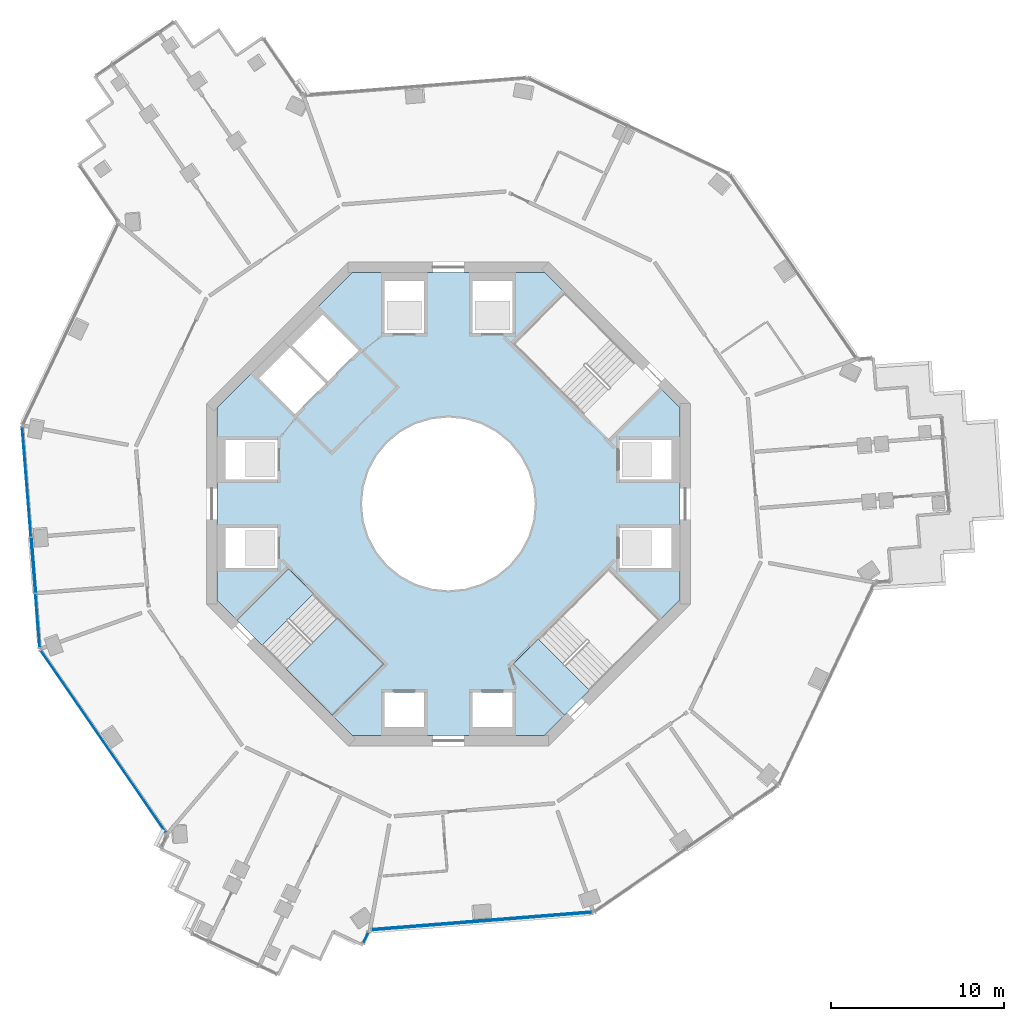
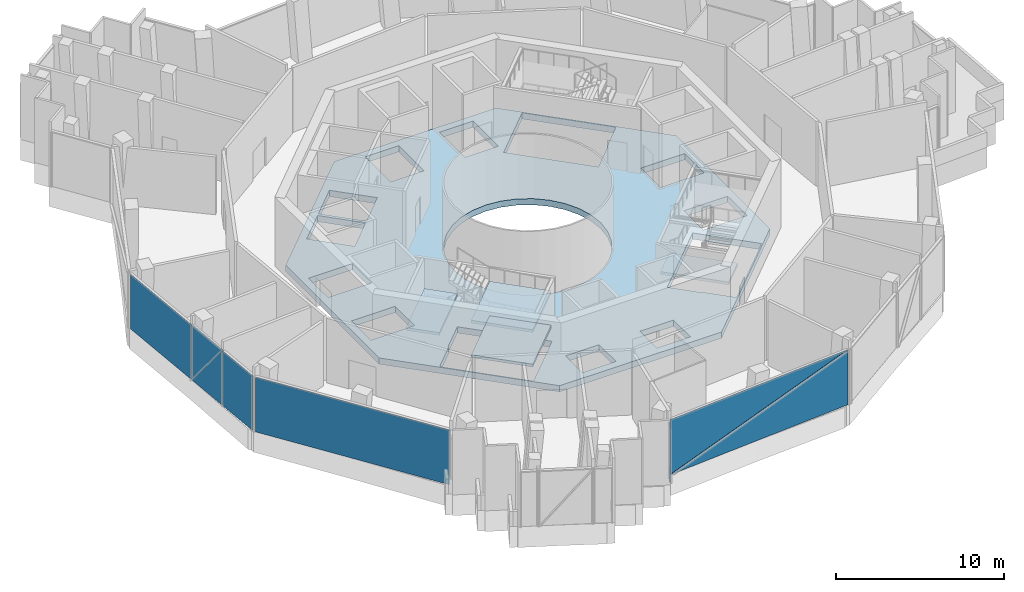
# One storey, part 7 of 21: 8 plates, 5 slabs, 6 elements without a shape of their own.
"""IFC4 building model written with IfcOpenShell, lengths in metres."""

from ifc_helpers import new_model, si_unit, direction, frame, origin, origin_2d, place, context, subcontext, project, spatial, polyline, rectangle, outline, extrude, material, layer, layer_set, type_object, element, aggregate, save


model = new_model("IFC4")

# Units and contexts
model_context = context("Model", 3, precision=1e-05, world=origin(), true_north=direction((0.0, 1.0)))
body_context = subcontext(model_context, "Body", "Model", "MODEL_VIEW")
ifc_project = project(units=[si_unit("LENGTHUNIT", "METRE"), si_unit("AREAUNIT", "SQUARE_METRE"), si_unit("VOLUMEUNIT", "CUBIC_METRE"), si_unit("PLANEANGLEUNIT", "RADIAN"), si_unit("MASSUNIT", "GRAM", prefix="KILO")], contexts=[model_context])

# Site, building, storey
site_placement = place(None, origin())
site = spatial("IfcSite", under=ifc_project, at=site_placement, CompositionType="ELEMENT")
building_placement = place(site_placement, origin())
building = spatial("IfcBuilding", under=site, at=building_placement, Name="Verdalira Terraces Hotel", CompositionType="ELEMENT")
storey_placement = place(building_placement, frame((0.0, 0.0, 175.0)))
storey = spatial("IfcBuildingStorey", under=building, at=storey_placement, Name="L42", CompositionType="ELEMENT", Elevation=175.0)

# Curtain wall, plates
ifc_material_1 = material(Name="Clear glass", Category="glass")
ifc_layer_1 = layer(ifc_material_1, 0.239990234375)
ifc_layer_set_1 = layer_set([ifc_layer_1], Name="CW5 curtain wall")
curtain_wall_type = type_object("IfcCurtainWallType", Name="CW5 curtain wall", PredefinedType="NOTDEFINED", material=ifc_layer_set_1)
curtain_wall_1_placement = place(storey_placement, origin())
curtain_wall_1 = element("IfcCurtainWall", 1, at=curtain_wall_1_placement, inside=storey, type_object=curtain_wall_type, Name="CW5 curtain wall L42 edge 12", PredefinedType="NOTDEFINED")
ifc_material_2 = material(Name="Clear glass", Category="glass")
ifc_layer_2 = layer(ifc_material_2, 0.0439453125)
ifc_layer_set_2 = layer_set([ifc_layer_2], Name="CW5 glass unit 44")
plate_type = type_object("IfcPlateType", Name="CW5 glass unit 44", PredefinedType="CURTAIN_PANEL", material=ifc_layer_set_2)
plate_1_placement = place(storey_placement, frame((-24.406982, 1.276123, 0.0), z_axis=(0.0, 0.0, 1.0), x_axis=(0.079503022, -0.996834625, 0.0)))
plate_1 = element("IfcPlate", 2, at=plate_1_placement, type_object=plate_type, Name="CW5 glass unit", PredefinedType="CURTAIN_PANEL", context=body_context, shape_type="SweptSolid", body=[
    extrude(rectangle(XDim=6.354736, YDim=0.043945, at=origin_2d()), origin(), (0.0, 0.0, 1.0), 3.965088),
])
plate_2_placement = place(storey_placement, frame((-24.000488, -3.544434, 1.982422), z_axis=(-0.996834625, -0.079503022, 0.0), x_axis=(0.079503022, -0.996834625, 0.0)))
plate_2 = element("IfcPlate", 3, at=plate_2_placement, type_object=plate_type, Name="CW5 glass unit", PredefinedType="CURTAIN_PANEL", context=body_context, shape_type="SweptSolid", body=[
    extrude(outline(polyline([(-1.589844, -1.982422), (1.589844, -1.982422), (1.589844, 1.982422), (-1.589844, -1.982422)])), origin(), (0.0, 0.0, 1.0), 0.043945),
])
plate_3_placement = place(storey_placement, frame((-23.955811, -3.540771, 1.982422), z_axis=(-0.996834625, -0.079503022, 0.0), x_axis=(0.079503022, -0.996834625, 0.0)))
plate_3 = element("IfcPlate", 4, at=plate_3_placement, type_object=plate_type, Name="CW5 glass unit", PredefinedType="CURTAIN_PANEL", context=body_context, shape_type="SweptSolid", body=[
    extrude(outline(polyline([(-1.589844, -1.982422), (1.589844, 1.982422), (-1.589844, 1.982422), (-1.589844, -1.982422)])), origin(), (0.0, 0.0, 1.0), 0.043945),
])
plate_4_placement = place(storey_placement, frame((-23.76709, -6.748291, 0.0), z_axis=(0.0, 0.0, 1.0), x_axis=(0.079503022, -0.996834625, 0.0)))
plate_4 = element("IfcPlate", 5, at=plate_4_placement, type_object=plate_type, Name="CW5 glass unit", PredefinedType="CURTAIN_PANEL", context=body_context, shape_type="SweptSolid", body=[
    extrude(rectangle(XDim=3.104736, YDim=0.043945, at=origin_2d()), origin(), (0.0, 0.0, 1.0), 3.965088),
])
aggregate(curtain_wall_1, [plate_1, plate_2, plate_3, plate_4])

# Curtain wall, plate
curtain_wall_2_placement = place(storey_placement, origin())
curtain_wall_2 = element("IfcCurtainWall", 6, at=curtain_wall_2_placement, inside=storey, type_object=curtain_wall_type, Name="CW5 curtain wall L42 edge 13", PredefinedType="NOTDEFINED")
plate_5_placement = place(storey_placement, frame((-19.956055, -13.739014, 0.0), z_axis=(0.0, 0.0, 1.0), x_axis=(0.567268949, -0.823532598, 0.0)))
plate_5 = element("IfcPlate", 7, at=plate_5_placement, type_object=plate_type, Name="CW5 glass unit", PredefinedType="CURTAIN_PANEL", context=body_context, shape_type="SweptSolid", body=[
    extrude(rectangle(XDim=12.767822, YDim=0.043945, at=origin_2d()), origin(), (0.0, 0.0, 1.0), 3.965088),
])
aggregate(curtain_wall_2, [plate_5])

curtain_wall_3_placement = place(storey_placement, origin())
curtain_wall_3 = element("IfcCurtainWall", 8, at=curtain_wall_3_placement, inside=storey, type_object=curtain_wall_type, Name="CW5 curtain wall L42 edge 24", PredefinedType="NOTDEFINED")
plate_6_placement = place(storey_placement, frame((-4.771729, -25.092773, 0.0), z_axis=(0.0, 0.0, 1.0), x_axis=(0.429565676, 0.90303562, 0.0)))
plate_6 = element("IfcPlate", 9, at=plate_6_placement, type_object=plate_type, Name="CW5 glass unit", PredefinedType="CURTAIN_PANEL", context=body_context, shape_type="SweptSolid", body=[
    extrude(rectangle(XDim=0.657959, YDim=0.043945, at=origin_2d()), origin(), (0.0, 0.0, 1.0), 3.965088),
])
aggregate(curtain_wall_3, [plate_6])

# Curtain wall, plates
curtain_wall_4_placement = place(storey_placement, origin())
curtain_wall_4 = element("IfcCurtainWall", 10, at=curtain_wall_4_placement, inside=storey, type_object=curtain_wall_type, Name="CW5 curtain wall L42 edge 25", PredefinedType="NOTDEFINED")
plate_7_placement = place(storey_placement, frame((1.93042, -24.12915, 1.982422), z_axis=(0.079503022, -0.996834625, 0.0), x_axis=(0.996834625, 0.079503022, 0.0)))
plate_7 = element("IfcPlate", 11, at=plate_7_placement, type_object=plate_type, Name="CW5 glass unit", PredefinedType="CURTAIN_PANEL", context=body_context, shape_type="SweptSolid", body=[
    extrude(outline(polyline([(-6.383789, -1.982422), (6.383789, -1.982422), (6.383789, 1.982422), (-6.383789, -1.982422)])), origin(), (0.0, 0.0, 1.0), 0.043945),
])
plate_8_placement = place(storey_placement, frame((1.926758, -24.084473, 1.982422), z_axis=(0.079503022, -0.996834625, 0.0), x_axis=(0.996834625, 0.079503022, 0.0)))
plate_8 = element("IfcPlate", 12, at=plate_8_placement, type_object=plate_type, Name="CW5 glass unit", PredefinedType="CURTAIN_PANEL", context=body_context, shape_type="SweptSolid", body=[
    extrude(outline(polyline([(-6.383789, -1.982422), (6.383789, 1.982422), (-6.383789, 1.982422), (-6.383789, -1.982422)])), origin(), (0.0, 0.0, 1.0), 0.043945),
])
aggregate(curtain_wall_4, [plate_7, plate_8])

# Slab
ifc_material_3 = material(Name="Concrete C40", Category="concrete")
ifc_layer_3 = layer(ifc_material_3, 0.449951171875)
ifc_layer_set_3 = layer_set([ifc_layer_3], Name="Core floor slab 450 mm")
slab_type_1 = type_object("IfcSlabType", Name="Core floor slab 450 mm", PredefinedType="FLOOR", material=ifc_layer_set_3)
slab_1_placement = place(storey_placement, frame((0.0, 0.0, -0.449951)))
element("IfcSlab", 13, at=slab_1_placement, inside=storey, type_object=slab_type_1, Name="L42 core floor", PredefinedType="FLOOR", context=body_context, shape_type="SweptSolid", body=[
    extrude(outline(polyline([(-5.550537, 13.399902), (5.550537, 13.399902), (13.399902, 5.550537), (13.399902, -5.550537), (5.550537, -13.399902), (-5.550537, -13.399902), (-13.399902, -5.550537), (-13.399902, 5.550537), (-5.550537, 13.399902)]), holes=[polyline([(12.899902, -3.699951), (12.899902, -1.399902), (9.899902, -1.399902), (9.899902, -3.699951), (12.899902, -3.699951)]), polyline([(12.899902, 1.399902), (12.899902, 3.699951), (9.899902, 3.699951), (9.899902, 1.399902), (12.899902, 1.399902)]), polyline([(1.399902, 9.899902), (3.699951, 9.899902), (3.699951, 12.899902), (1.399902, 12.899902), (1.399902, 9.899902)]), polyline([(-3.699951, 9.899902), (-1.399902, 9.899902), (-1.399902, 12.899902), (-3.699951, 12.899902), (-3.699951, 9.899902)]), polyline([(-12.899902, 3.699951), (-12.899902, 1.399902), (-9.899902, 1.399902), (-9.899902, 3.699951), (-12.899902, 3.699951)]), polyline([(-12.899902, -1.399902), (-12.899902, -3.699951), (-9.899902, -3.699951), (-9.899902, -1.399902), (-12.899902, -1.399902)]), polyline([(-1.399902, -10.899902), (-3.699951, -10.899902), (-3.699951, -12.899902), (-1.399902, -12.899902), (-1.399902, -10.899902)]), polyline([(3.699951, -10.899902), (1.399902, -10.899902), (1.399902, -12.899902), (3.699951, -12.899902), (3.699951, -10.899902)]), polyline([(-9.051025, 9.192383), (-6.965088, 7.106445), (-5.197266, 8.874268), (-7.283203, 10.960205), (-9.051025, 9.192383)]), polyline([(-9.192383, 9.051025), (-10.960205, 7.283203), (-8.874268, 5.197266), (-7.106445, 6.965088), (-9.192383, 9.051025)]), polyline([(3.5354, 3.5354), (2.777832, 4.157227), (1.91333, 4.619385), (0.975586, 4.903809), (0.0, 5.0), (-0.975586, 4.903809), (-1.91333, 4.619385), (-2.777832, 4.157227), (-3.5354, 3.5354), (-4.157227, 2.777832), (-4.619385, 1.91333), (-4.903809, 0.975586), (-5.0, 0.0), (-4.903809, -0.975586), (-4.619385, -1.91333), (-4.157227, -2.777832), (-3.5354, -3.5354), (-2.777832, -4.157227), (-1.91333, -4.619385), (-0.975586, -4.903809), (0.0, -5.0), (0.975586, -4.903809), (1.91333, -4.619385), (2.777832, -4.157227), (3.5354, -3.5354), (4.157227, -2.777832), (4.619385, -1.91333), (4.903809, -0.975586), (5.0, 0.0), (4.903809, 0.975586), (4.619385, 1.91333), (4.157227, 2.777832), (3.5354, 3.5354)]), polyline([(6.646729, 12.19043), (5.176025, 10.719727), (5.176025, 10.719727), (3.648682, 9.192383), (7.763672, 5.077393), (9.298096, 6.611816), (9.262695, 6.647217), (10.726562, 8.11084), (6.646729, 12.19043)]), polyline([(-3.648682, -9.192383), (-7.763672, -5.077393), (-9.298096, -6.611816), (-9.262695, -6.647217), (-10.726562, -8.11084), (-6.646729, -12.19043), (-5.176025, -10.719727), (-5.176025, -10.719727), (-3.648682, -9.192383)]), polyline([(10.719727, -5.176025), (9.192383, -3.648682), (5.077393, -7.763672), (6.611816, -9.298096), (6.647217, -9.262695), (8.11084, -10.726562), (12.19043, -6.646729), (10.719727, -5.176025), (10.719727, -5.176025)])]), origin(), (0.0, 0.0, 1.0), 0.449951),
])

# Stair, slabs
ifc_material_4 = material(Name="Concrete C40", Category="concrete")
stair_type = type_object("IfcStairType", Name="Core stair 32 risers 2050 mm wide", PredefinedType="HALF_TURN_STAIR", material=ifc_material_4)
stair_1_placement = place(storey_placement, origin())
stair_1 = element("IfcStair", 14, at=stair_1_placement, inside=storey, type_object=stair_type, Name="L42 Exit stair ST2", PredefinedType="HALF_TURN_STAIR")
ifc_material_5 = material(Name="Concrete C40", Category="concrete")
ifc_layer_4 = layer(ifc_material_5, 0.199951171875)
ifc_layer_set_4 = layer_set([ifc_layer_4], Name="Core stair landing 200 mm")
slab_type_2 = type_object("IfcSlabType", Name="Core stair landing 200 mm", PredefinedType="LANDING", material=ifc_layer_set_4)
slab_2_placement = place(storey_placement, frame((0.0, 0.0, 1.050049)))
slab_2 = element("IfcSlab", 15, at=slab_2_placement, type_object=slab_type_2, Name="ST2 landing 1", PredefinedType="LANDING", context=body_context, shape_type="SweptSolid", body=[
    extrude(outline(polyline([(-9.397705, -9.552734), (-6.717529, -12.23291), (-3.747559, -9.263184), (-6.427979, -6.582764), (-9.397705, -9.552734)])), origin(), (0.0, 0.0, 1.0), 0.199951),
])
slab_3_placement = place(storey_placement, frame((0.0, 0.0, 2.300049)))
slab_3 = element("IfcSlab", 16, at=slab_3_placement, type_object=slab_type_2, Name="ST2 landing 2", PredefinedType="LANDING", context=body_context, shape_type="SweptSolid", body=[
    extrude(outline(polyline([(-12.23291, -6.717529), (-10.782959, -8.16748), (-7.813232, -5.19751), (-9.263184, -3.747559), (-12.23291, -6.717529)])), origin(), (0.0, 0.0, 1.0), 0.199951),
])
slab_4_placement = place(storey_placement, frame((0.0, 0.0, 3.550049)))
slab_4 = element("IfcSlab", 17, at=slab_4_placement, type_object=slab_type_2, Name="ST2 landing 3", PredefinedType="LANDING", context=body_context, shape_type="SweptSolid", body=[
    extrude(outline(polyline([(-9.397705, -9.552734), (-6.717529, -12.23291), (-3.747559, -9.263184), (-6.427979, -6.582764), (-9.397705, -9.552734)])), origin(), (0.0, 0.0, 1.0), 0.199951),
])
aggregate(stair_1, [slab_2, slab_3, slab_4])

# Stair, slab
stair_2_placement = place(storey_placement, origin())
stair_2 = element("IfcStair", 18, at=stair_2_placement, inside=storey, type_object=stair_type, Name="L42 Exit stair ST3", PredefinedType="HALF_TURN_STAIR")
slab_5_placement = place(storey_placement, frame((0.0, 0.0, 2.300049)))
slab_5 = element("IfcSlab", 19, at=slab_5_placement, type_object=slab_type_2, Name="ST3 landing 2", PredefinedType="LANDING", context=body_context, shape_type="SweptSolid", body=[
    extrude(outline(polyline([(6.717529, -12.23291), (8.16748, -10.782959), (5.19751, -7.813232), (3.747559, -9.263184), (6.717529, -12.23291)])), origin(), (0.0, 0.0, 1.0), 0.199951),
])
aggregate(stair_2, [slab_5])

save(model, "model.ifc")
